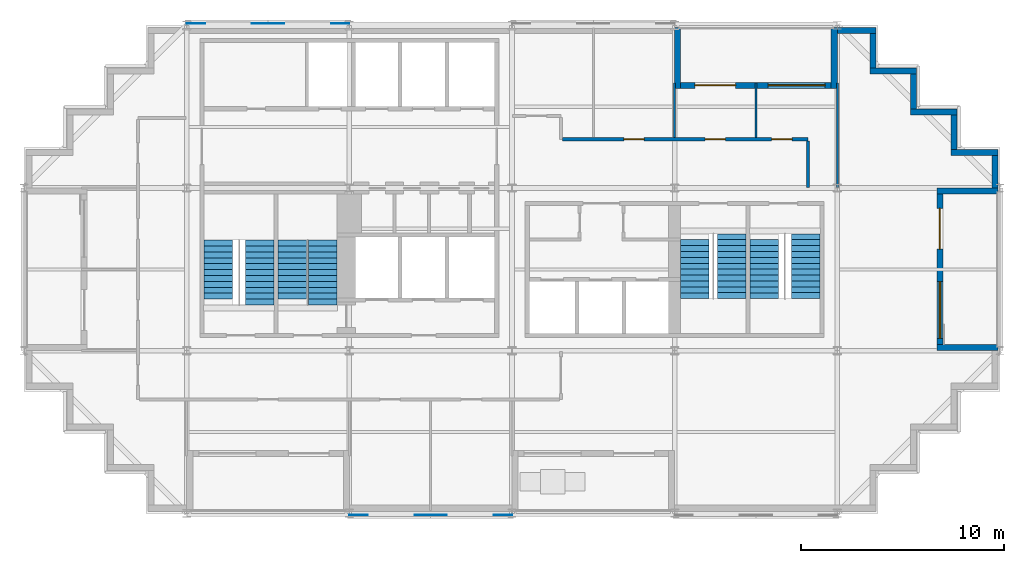
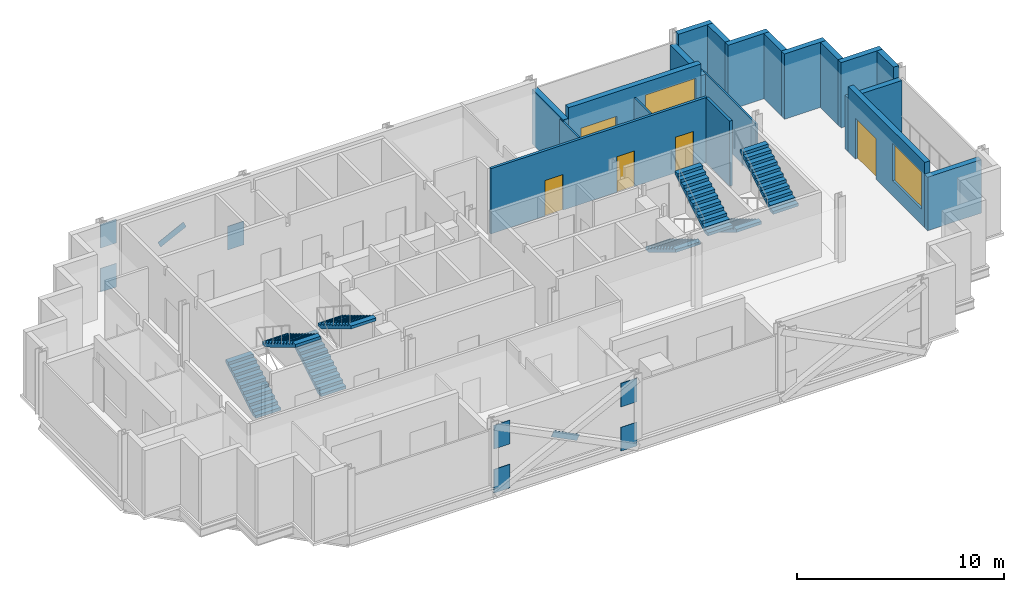
# One storey, part 5 of 8: 19 walls, 9 discrete accessories, 8 stair flights, 5 doors, 2 windows, 7 openings, 4 elements without a shape of their own.
"""IFC4 building model written with IfcOpenShell, lengths in metres."""

from ifc_helpers import new_model, si_unit, direction, frame, frame_2d, origin, origin_2d, place, context, subcontext, project, spatial, polyline, rectangle, outline, extrude, material, layer, layer_set, material_profile, profile_set, type_object, element, fill, aggregate, save


model = new_model("IFC4")

# Units and contexts
model_context = context("Model", 3, precision=1e-05, world=origin(), true_north=direction((0.0, 1.0)))
body_context = subcontext(model_context, "Body", "Model", "MODEL_VIEW")
ifc_project = project(units=[si_unit("LENGTHUNIT", "METRE"), si_unit("AREAUNIT", "SQUARE_METRE"), si_unit("VOLUMEUNIT", "CUBIC_METRE"), si_unit("PLANEANGLEUNIT", "RADIAN"), si_unit("MASSUNIT", "GRAM", prefix="KILO")], contexts=[model_context])

# Site, building, storey
site_placement = place(None, origin())
site = spatial("IfcSite", under=ifc_project, at=site_placement, CompositionType="ELEMENT")
building_placement = place(site_placement, origin())
building = spatial("IfcBuilding", under=site, at=building_placement, Name="Immortelle Media Tower", CompositionType="ELEMENT")
storey_placement = place(building_placement, frame((0.0, 0.0, 201.0)))
storey = spatial("IfcBuildingStorey", under=building, at=storey_placement, Name="L42", CompositionType="ELEMENT", Elevation=201.0)

# Wall
ifc_material_1 = material(Name="Fire-rated gypsum board", Category="gypsum")
ifc_layer_1 = layer(ifc_material_1, 0.012451171875)
ifc_material_2 = material(Name="Steel ASTM A653 SS Gr 50 stud frame with mineral wool", Category="steel")
ifc_layer_2 = layer(ifc_material_2, 0.125)
ifc_layer_3 = layer(ifc_material_1, 0.012451171875)
ifc_layer_set_1 = layer_set([ifc_layer_1, ifc_layer_2, ifc_layer_3], Name="Steel ASTM A653 SS Gr 50 stud frame with mineral wool")
wall_type_1 = type_object("IfcWallType", Name="Corridor wall 150", PredefinedType="PARTITIONING", material=ifc_layer_set_1)
wall_1_placement = place(storey_placement, frame((38.550048828125, 16.030029296875, 0.0), z_axis=(0.0, 0.0, 1.0), x_axis=(0.0, 1.0, 0.0)))
element("IfcWall", 1, at=wall_1_placement, inside=storey, type_object=wall_type_1, Name="Partition L42-011", PredefinedType="PARTITIONING", context=body_context, shape_type="SweptSolid", body=[
    extrude(rectangle(XDim=2.294921875, YDim=0.14990234375, at=frame_2d((1.1474609375, 0.0))), origin(), (0.0, 0.0, 1.0), 3.85009765625),
])

# Wall, openings, doors
wall_2_placement = place(storey_placement, frame((26.47509765625, 18.39990234375, 0.0), z_axis=(0.0, 0.0, 1.0), x_axis=(1.0, 0.0, 0.0)))
wall_2 = element("IfcWall", 2, at=wall_2_placement, inside=storey, type_object=wall_type_1, Name="Partition L42-013", PredefinedType="PARTITIONING", context=body_context, shape_type="SweptSolid", body=[
    extrude(rectangle(XDim=12.074951171875, YDim=0.14990234375, at=frame_2d((6.03759765625, 0.0))), origin(), (0.0, 0.0, 1.0), 3.85009765625),
])
opening_1_placement = place(wall_2_placement, frame((7.02490234375, 0.0, 0.0)))
opening_1 = element("IfcOpeningElement", 3, at=opening_1_placement, cuts=wall_2, Name="Opening O2-F009", PredefinedType="OPENING", context=body_context, shape_type="SweptSolid", body=[
    extrude(rectangle(XDim=1.0, YDim=2.10009765625, at=frame_2d((0.5, 1.050048828125))), frame((0.0, 0.0849609375, 0.0), z_axis=(0.0, -1.0, 0.0), x_axis=(1.0, 0.0, 0.0)), (0.0, 0.0, 1.0), 0.169921875),
])
opening_2_placement = place(wall_2_placement, frame((10.300048828125, 0.0, 0.0)))
opening_2 = element("IfcOpeningElement", 4, at=opening_2_placement, cuts=wall_2, Name="Opening O2-F010", PredefinedType="OPENING", context=body_context, shape_type="SweptSolid", body=[
    extrude(rectangle(XDim=1.0, YDim=2.10009765625, at=frame_2d((0.5, 1.050048828125))), frame((0.0, 0.0849609375, 0.0), z_axis=(0.0, -1.0, 0.0), x_axis=(1.0, 0.0, 0.0)), (0.0, 0.0, 1.0), 0.169921875),
])
opening_3_placement = place(wall_2_placement, frame((3.02490234375, 0.0, 0.0)))
opening_3 = element("IfcOpeningElement", 5, at=opening_3_placement, cuts=wall_2, Name="Opening O2-F012", PredefinedType="OPENING", context=body_context, shape_type="SweptSolid", body=[
    extrude(rectangle(XDim=1.0, YDim=2.10009765625, at=frame_2d((0.5, 1.050048828125))), frame((0.0, 0.0849609375, 0.0), z_axis=(0.0, -1.0, 0.0), x_axis=(1.0, 0.0, 0.0)), (0.0, 0.0, 1.0), 0.169921875),
])
ifc_material_3 = material(Name="Timber veneered door leaf, galvanised steel frame ASTM A653", Category="steel")
door_type_1 = type_object("IfcDoorType", Name="Room door 1000 x 2100", OperationType="NOTDEFINED", PredefinedType="DOOR", material=ifc_material_3)
door_1_placement = place(opening_1_placement, origin())
door_1 = element("IfcDoor", 6, at=door_1_placement, inside=storey, type_object=door_type_1, Name="Door O2-F009", OperationType="SINGLE_SWING_LEFT", OverallHeight=2.10009765625, OverallWidth=1.0, PredefinedType="DOOR", context=body_context, shape_type="SweptSolid", body=[
    extrude(rectangle(XDim=1.0, YDim=2.10009765625, at=frame_2d((0.5, 1.050048828125))), frame((0.0, 0.02490234375, 0.0), z_axis=(0.0, -1.0, 0.0), x_axis=(1.0, 0.0, 0.0)), (0.0, 0.0, 1.0), 0.050048828125),
])
fill(opening_1, door_1)
door_2_placement = place(opening_2_placement, origin())
door_2 = element("IfcDoor", 7, at=door_2_placement, inside=storey, type_object=door_type_1, Name="Door O2-F010", OperationType="SINGLE_SWING_LEFT", OverallHeight=2.10009765625, OverallWidth=1.0, PredefinedType="DOOR", context=body_context, shape_type="SweptSolid", body=[
    extrude(rectangle(XDim=1.0, YDim=2.10009765625, at=frame_2d((0.5, 1.050048828125))), frame((0.0, 0.02490234375, 0.0), z_axis=(0.0, -1.0, 0.0), x_axis=(1.0, 0.0, 0.0)), (0.0, 0.0, 1.0), 0.050048828125),
])
fill(opening_2, door_2)
door_3_placement = place(opening_3_placement, origin())
door_3 = element("IfcDoor", 8, at=door_3_placement, inside=storey, type_object=door_type_1, Name="Door O2-F012", OperationType="SINGLE_SWING_LEFT", OverallHeight=2.10009765625, OverallWidth=1.0, PredefinedType="DOOR", context=body_context, shape_type="SweptSolid", body=[
    extrude(rectangle(XDim=1.0, YDim=2.10009765625, at=frame_2d((0.5, 1.050048828125))), frame((0.0, 0.02490234375, 0.0), z_axis=(0.0, -1.0, 0.0), x_axis=(1.0, 0.0, 0.0)), (0.0, 0.0, 1.0), 0.050048828125),
])
fill(opening_3, door_3)

# Wall, openings, door, window
ifc_material_4 = material(Name="Pale aluminium cladding panel", Category="aluminium")
ifc_layer_4 = layer(ifc_material_4, 0.030029296875)
ifc_layer_5 = layer(ifc_material_2, 0.257568359375)
ifc_material_5 = material(Name="Moisture-resistant gypsum board", Category="gypsum")
ifc_layer_6 = layer(ifc_material_5, 0.012451171875)
ifc_layer_set_2 = layer_set([ifc_layer_4, ifc_layer_5, ifc_layer_6], Name="Steel ASTM A653 SS Gr 50 stud frame with mineral wool")
wall_type_2 = type_object("IfcWallType", Name="Facade wall 300", PredefinedType="SOLIDWALL", material=ifc_layer_set_2)
wall_3_placement = place(storey_placement, frame((45.050048828125, 8.300048828125, 0.0), z_axis=(0.0, 0.0, 1.0), x_axis=(0.0, 1.0, 0.0)))
wall_3 = element("IfcWall", 9, at=wall_3_placement, inside=storey, type_object=wall_type_2, Name="Loggia wall L42 E13", PredefinedType="SOLIDWALL", context=body_context, shape_type="SweptSolid", body=[
    extrude(rectangle(XDim=7.39990234375, YDim=0.300048828125, at=frame_2d((3.699951171875, 0.0))), origin(), (0.0, 0.0, 1.0), 3.85009765625),
])
opening_4_placement = place(wall_3_placement, frame((0.300048828125, 0.0, 0.89990234375)))
opening_4 = element("IfcOpeningElement", 10, at=opening_4_placement, cuts=wall_3, Name="Opening W1", PredefinedType="OPENING", context=body_context, shape_type="SweptSolid", body=[
    extrude(rectangle(XDim=2.800048828125, YDim=2.199951171875, at=frame_2d((1.39990234375, 1.10009765625))), frame((0.0, 0.159912109375, 0.0), z_axis=(0.0, -1.0, 0.0), x_axis=(1.0, 0.0, 0.0)), (0.0, 0.0, 1.0), 0.320068359375),
])
opening_5_placement = place(wall_3_placement, frame((4.699951171875, 0.0, 0.0)))
opening_5 = element("IfcOpeningElement", 11, at=opening_5_placement, cuts=wall_3, Name="Opening O2-E003", PredefinedType="OPENING", context=body_context, shape_type="SweptSolid", body=[
    extrude(rectangle(XDim=2.0, YDim=2.39990234375, at=frame_2d((1.0, 1.199951171875))), frame((0.0, 0.159912109375, 0.0), z_axis=(0.0, -1.0, 0.0), x_axis=(1.0, 0.0, 0.0)), (0.0, 0.0, 1.0), 0.320068359375),
])
ifc_material_6 = material(Name="Aluminium frame, glazed leaves", Category="aluminium")
door_type_2 = type_object("IfcDoorType", Name="Loggia door 2000 x 2400", OperationType="DOUBLE_DOOR_SINGLE_SWING", PredefinedType="DOOR", material=ifc_material_6)
door_4_placement = place(opening_5_placement, origin())
door_4 = element("IfcDoor", 12, at=door_4_placement, inside=storey, type_object=door_type_2, Name="Door O2-E003", OperationType="DOUBLE_DOOR_SINGLE_SWING", OverallHeight=2.39990234375, OverallWidth=2.0, PredefinedType="DOOR", context=body_context, shape_type="SweptSolid", body=[
    extrude(rectangle(XDim=2.0, YDim=2.39990234375, at=frame_2d((1.0, 1.199951171875))), frame((0.0, 0.02490234375, 0.0), z_axis=(0.0, -1.0, 0.0), x_axis=(1.0, 0.0, 0.0)), (0.0, 0.0, 1.0), 0.050048828125),
])
fill(opening_5, door_4)
ifc_material_7 = material(Name="Aluminium frame", Category="aluminium")
window_type = type_object("IfcWindowType", Name="Window 2800 x 2200", PartitioningType="SINGLE_PANEL", PredefinedType="WINDOW", material=ifc_material_7)
window_1_placement = place(opening_4_placement, origin())
window_1 = element("IfcWindow", 13, at=window_1_placement, inside=storey, type_object=window_type, Name="Window L42 L42-R13-B0", OverallHeight=2.199951171875, OverallWidth=2.800048828125, PartitioningType="SINGLE_PANEL", PredefinedType="WINDOW", context=body_context, shape_type="SweptSolid", body=[
    extrude(rectangle(XDim=2.800048828125, YDim=2.199951171875, at=frame_2d((1.39990234375, 1.10009765625))), frame((0.0, 0.030029296875, 0.0), z_axis=(0.0, -1.0, 0.0), x_axis=(1.0, 0.0, 0.0)), (0.0, 0.0, 1.0), 0.06005859375),
])
fill(opening_4, window_1)

# Walls
for number, where, z_axis, x_axis, name in (
    (14, (47.89990234375, 8.14990234375, 0.0), (0.0, 0.0, 1.0), (-1.0, 0.0, 0.0), "Loggia cheek wall L42 E"),
    (15, (47.89990234375, 15.85009765625, 0.0), (0.0, 0.0, 1.0), (-1.0, 0.0, 0.0), "Loggia cheek wall L42 E"),
):
    element("IfcWall", number, at=place(storey_placement, frame(where, z_axis=z_axis, x_axis=x_axis)), inside=storey, type_object=wall_type_2, Name=name, PredefinedType="SOLIDWALL", context=body_context, shape_type="SweptSolid", body=[
        extrude(rectangle(XDim=3.0, YDim=0.300048828125, at=frame_2d((1.5, 0.0))), origin(), (0.0, 0.0, 1.0), 3.156005859375),
    ])
wall_4_placement = place(storey_placement, frame((47.75, 16.0, 0.0), z_axis=(0.0, 0.0, 1.0), x_axis=(0.0, 1.0, 0.0)))
element("IfcWall", 16, at=wall_4_placement, inside=storey, type_object=wall_type_2, Name="Facade wall L42 E13", PredefinedType="SOLIDWALL", context=body_context, shape_type="SweptSolid", body=[
    extrude(rectangle(XDim=1.60009765625, YDim=0.300048828125, at=frame_2d((0.800048828125, 0.0))), origin(), (0.0, 0.0, 1.0), 3.85009765625),
])
wall_5_placement = place(storey_placement, frame((47.89990234375, 17.75, 0.0), z_axis=(0.0, 0.0, 1.0), x_axis=(-1.0, 0.0, 0.0)))
element("IfcWall", 17, at=wall_5_placement, inside=storey, type_object=wall_type_2, Name="Facade wall L42 N14", PredefinedType="SOLIDWALL", context=body_context, shape_type="SweptSolid", body=[
    extrude(rectangle(XDim=2.2998046875, YDim=0.300048828125, at=frame_2d((1.14990234375, 0.0))), origin(), (0.0, 0.0, 1.0), 3.85009765625),
])
wall_6_placement = place(storey_placement, frame((45.75, 17.89990234375, 0.0), z_axis=(0.0, 0.0, 1.0), x_axis=(0.0, 1.0, 0.0)))
element("IfcWall", 18, at=wall_6_placement, inside=storey, type_object=wall_type_2, Name="Facade wall L42 E15", PredefinedType="SOLIDWALL", context=body_context, shape_type="SweptSolid", body=[
    extrude(rectangle(XDim=1.7001953125, YDim=0.300048828125, at=frame_2d((0.85009765625, 0.0))), origin(), (0.0, 0.0, 1.0), 3.85009765625),
])
wall_7_placement = place(storey_placement, frame((45.89990234375, 19.75, 0.0), z_axis=(0.0, 0.0, 1.0), x_axis=(-1.0, 0.0, 0.0)))
element("IfcWall", 19, at=wall_7_placement, inside=storey, type_object=wall_type_2, Name="Facade wall L42 N16", PredefinedType="SOLIDWALL", context=body_context, shape_type="SweptSolid", body=[
    extrude(rectangle(XDim=2.2998046875, YDim=0.300048828125, at=frame_2d((1.14990234375, 0.0))), origin(), (0.0, 0.0, 1.0), 3.85009765625),
])
wall_8_placement = place(storey_placement, frame((43.75, 19.89990234375, 0.0), z_axis=(0.0, 0.0, 1.0), x_axis=(0.0, 1.0, 0.0)))
element("IfcWall", 20, at=wall_8_placement, inside=storey, type_object=wall_type_2, Name="Facade wall L42 E17", PredefinedType="SOLIDWALL", context=body_context, shape_type="SweptSolid", body=[
    extrude(rectangle(XDim=1.7001953125, YDim=0.300048828125, at=frame_2d((0.85009765625, 0.0))), origin(), (0.0, 0.0, 1.0), 3.85009765625),
])
wall_9_placement = place(storey_placement, frame((43.89990234375, 21.75, 0.0), z_axis=(0.0, 0.0, 1.0), x_axis=(-1.0, 0.0, 0.0)))
element("IfcWall", 21, at=wall_9_placement, inside=storey, type_object=wall_type_2, Name="Facade wall L42 N18", PredefinedType="SOLIDWALL", context=body_context, shape_type="SweptSolid", body=[
    extrude(rectangle(XDim=2.2998046875, YDim=0.300048828125, at=frame_2d((1.14990234375, 0.0))), origin(), (0.0, 0.0, 1.0), 3.85009765625),
])
wall_10_placement = place(storey_placement, frame((41.75, 21.89990234375, 0.0), z_axis=(0.0, 0.0, 1.0), x_axis=(0.0, 1.0, 0.0)))
element("IfcWall", 22, at=wall_10_placement, inside=storey, type_object=wall_type_2, Name="Facade wall L42 E19", PredefinedType="SOLIDWALL", context=body_context, shape_type="SweptSolid", body=[
    extrude(rectangle(XDim=1.7001953125, YDim=0.300048828125, at=frame_2d((0.85009765625, 0.0))), origin(), (0.0, 0.0, 1.0), 3.85009765625),
])
wall_11_placement = place(storey_placement, frame((41.89990234375, 23.75, 0.0), z_axis=(0.0, 0.0, 1.0), x_axis=(-1.0, 0.0, 0.0)))
element("IfcWall", 23, at=wall_11_placement, inside=storey, type_object=wall_type_2, Name="Facade wall L42 N20", PredefinedType="SOLIDWALL", context=body_context, shape_type="SweptSolid", body=[
    extrude(rectangle(XDim=1.89990234375, YDim=0.300048828125, at=frame_2d((0.949951171875, 0.0))), origin(), (0.0, 0.0, 1.0), 3.85009765625),
])

# Wall, openings, door, window
wall_12_placement = place(storey_placement, frame((39.699951171875, 21.050048828125, 0.0), z_axis=(0.0, 0.0, 1.0), x_axis=(-1.0, 0.0, 0.0)))
wall_12 = element("IfcWall", 24, at=wall_12_placement, inside=storey, type_object=wall_type_2, Name="Loggia wall L42 N20", PredefinedType="SOLIDWALL", context=body_context, shape_type="SweptSolid", body=[
    extrude(rectangle(XDim=7.39990234375, YDim=0.300048828125, at=frame_2d((3.699951171875, 0.0))), origin(), (0.0, 0.0, 1.0), 3.85009765625),
])
opening_6_placement = place(wall_12_placement, frame((0.300048828125, 0.0, 0.89990234375)))
opening_6 = element("IfcOpeningElement", 25, at=opening_6_placement, cuts=wall_12, Name="Opening W1", PredefinedType="OPENING", context=body_context, shape_type="SweptSolid", body=[
    extrude(rectangle(XDim=2.800048828125, YDim=2.199951171875, at=frame_2d((1.39990234375, 1.10009765625))), frame((0.0, 0.159912109375, 0.0), z_axis=(0.0, -1.0, 0.0), x_axis=(1.0, 0.0, 0.0)), (0.0, 0.0, 1.0), 0.320068359375),
])
opening_7_placement = place(wall_12_placement, frame((4.699951171875, 0.0, 0.0)))
opening_7 = element("IfcOpeningElement", 26, at=opening_7_placement, cuts=wall_12, Name="Opening O2-E004", PredefinedType="OPENING", context=body_context, shape_type="SweptSolid", body=[
    extrude(rectangle(XDim=2.0, YDim=2.39990234375, at=frame_2d((1.0, 1.199951171875))), frame((0.0, 0.159912109375, 0.0), z_axis=(0.0, -1.0, 0.0), x_axis=(1.0, 0.0, 0.0)), (0.0, 0.0, 1.0), 0.320068359375),
])
door_5_placement = place(opening_7_placement, origin())
door_5 = element("IfcDoor", 27, at=door_5_placement, inside=storey, type_object=door_type_2, Name="Door O2-E004", OperationType="DOUBLE_DOOR_SINGLE_SWING", OverallHeight=2.39990234375, OverallWidth=2.0, PredefinedType="DOOR", context=body_context, shape_type="SweptSolid", body=[
    extrude(rectangle(XDim=2.0, YDim=2.39990234375, at=frame_2d((1.0, 1.199951171875))), frame((0.0, 0.02490234375, 0.0), z_axis=(0.0, -1.0, 0.0), x_axis=(1.0, 0.0, 0.0)), (0.0, 0.0, 1.0), 0.050048828125),
])
fill(opening_7, door_5)
window_2_placement = place(opening_6_placement, origin())
window_2 = element("IfcWindow", 28, at=window_2_placement, inside=storey, type_object=window_type, Name="Window L42 L42-R20-B0", OverallHeight=2.199951171875, OverallWidth=2.800048828125, PartitioningType="SINGLE_PANEL", PredefinedType="WINDOW", context=body_context, shape_type="SweptSolid", body=[
    extrude(rectangle(XDim=2.800048828125, YDim=2.199951171875, at=frame_2d((1.39990234375, 1.10009765625))), frame((0.0, 0.030029296875, 0.0), z_axis=(0.0, -1.0, 0.0), x_axis=(1.0, 0.0, 0.0)), (0.0, 0.0, 1.0), 0.06005859375),
])
fill(opening_6, window_2)

# Walls
wall_13_placement = place(storey_placement, frame((39.85009765625, 23.89990234375, 0.0), z_axis=(0.0, 0.0, 1.0), x_axis=(0.0, -1.0, 0.0)))
element("IfcWall", 29, at=wall_13_placement, inside=storey, type_object=wall_type_2, Name="Loggia cheek wall L42 N", PredefinedType="SOLIDWALL", context=body_context, shape_type="SweptSolid", body=[
    extrude(rectangle(XDim=3.0, YDim=0.300048828125, at=frame_2d((1.5, 0.0))), origin(), (0.0, 0.0, 1.0), 3.156005859375),
])
wall_14_placement = place(storey_placement, frame((32.14990234375, 23.89990234375, 0.0), z_axis=(0.0, 0.0, 1.0), x_axis=(0.0, -1.0, 0.0)))
element("IfcWall", 30, at=wall_14_placement, inside=storey, type_object=wall_type_2, Name="Loggia cheek wall L42 N", PredefinedType="SOLIDWALL", context=body_context, shape_type="SweptSolid", body=[
    extrude(rectangle(XDim=3.0, YDim=0.300048828125, at=frame_2d((1.5, 0.0))), origin(), (0.0, 0.0, 1.0), 3.237060546875),
])
ifc_material_8 = material(Name="Gypsum board", Category="gypsum")
ifc_layer_7 = layer(ifc_material_8, 0.012451171875)
ifc_layer_8 = layer(ifc_material_2, 0.074951171875)
ifc_layer_9 = layer(ifc_material_8, 0.012451171875)
ifc_layer_set_3 = layer_set([ifc_layer_7, ifc_layer_8, ifc_layer_9], Name="Steel ASTM A653 SS Gr 50 stud frame with mineral wool")
wall_type_3 = type_object("IfcWallType", Name="Partition 100", PredefinedType="PARTITIONING", material=ifc_layer_set_3)
wall_15_placement = place(storey_placement, frame((40.0, 16.030029296875, 0.0), z_axis=(0.0, 0.0, 1.0), x_axis=(0.0, 1.0, 0.0)))
element("IfcWall", 31, at=wall_15_placement, inside=storey, type_object=wall_type_3, Name="Partition L42-012", PredefinedType="PARTITIONING", context=body_context, shape_type="SweptSolid", body=[
    extrude(rectangle(XDim=5.139892578125, YDim=0.10009765625, at=frame_2d((2.56982421875, 0.0))), origin(), (0.0, 0.0, 1.0), 3.156982421875),
])
for number, where, z_axis, x_axis, name in (
    (32, (32.0, 18.47509765625, 0.0), (0.0, 0.0, 1.0), (0.0, 1.0, 0.0), "Partition L42-016"),
    (33, (36.0, 18.47509765625, 0.0), (0.0, 0.0, 1.0), (0.0, 1.0, 0.0), "Partition L42-017"),
):
    element("IfcWall", number, at=place(storey_placement, frame(where, z_axis=z_axis, x_axis=x_axis)), inside=storey, type_object=wall_type_3, Name=name, PredefinedType="PARTITIONING", context=body_context, shape_type="SweptSolid", body=[
        extrude(rectangle(XDim=2.69482421875, YDim=0.10009765625, at=frame_2d((1.347412109375, 0.0))), origin(), (0.0, 0.0, 1.0), 3.156982421875),
    ])

# Stair, stair flights
ifc_material_9 = material(Name="Steel ASTM A992 Gr 50", Category="steel")
stair_type = type_object("IfcStairType", Name="Stair with flights", PredefinedType="DOUBLE_RETURN_STAIR", material=ifc_material_9)
stair_1_placement = place(storey_placement, origin())
stair_1 = element("IfcStair", 34, at=stair_1_placement, inside=storey, type_object=stair_type, Name="Exit stair SW1", PredefinedType="DOUBLE_RETURN_STAIR")
stair_flight_type = type_object("IfcStairFlightType", Name="Stair flight 1400", PredefinedType="STRAIGHT", material=ifc_material_9)
stair_flight_1_placement = place(storey_placement, frame((9.550048828125, 10.5400390625, 0.0), z_axis=(0.0, 0.0, 1.0), x_axis=(0.0, 1.0, 0.0)))
stair_flight_1 = element("IfcStairFlight", 35, at=stair_flight_1_placement, type_object=stair_flight_type, Name="ST SW1 flight 1", NumberOfRisers=11, NumberOfTreads=10, PredefinedType="STRAIGHT", RiserHeight=0.173913043, TreadLength=0.29, context=body_context, shape_type="SweptSolid", body=[
    extrude(outline(polyline([(0.0, 0.0), (0.0, 0.173828125), (0.2900390625, 0.173828125), (0.2900390625, 0.347900390625), (0.580078125, 0.347900390625), (0.580078125, 0.521728515625), (0.8701171875, 0.521728515625), (0.8701171875, 0.695556640625), (1.159912109375, 0.695556640625), (1.159912109375, 0.86962890625), (1.449951171875, 0.86962890625), (1.449951171875, 1.04345703125), (1.739990234375, 1.04345703125), (1.739990234375, 1.21728515625), (2.030029296875, 1.21728515625), (2.030029296875, 1.391357421875), (2.320068359375, 1.391357421875), (2.320068359375, 1.565185546875), (2.610107421875, 1.565185546875), (2.610107421875, 1.739013671875), (2.89990234375, 1.739013671875), (2.89990234375, 1.9130859375), (2.89990234375, 1.564453125), (0.29150390625, 0.0), (0.0, 0.0)])), frame((0.0, 0.699951171875, 0.0), z_axis=(0.0, -1.0, 0.0), x_axis=(1.0, 0.0, 0.0)), (0.0, 0.0, 1.0), 1.39990234375),
])
stair_flight_2_placement = place(storey_placement, frame((11.60009765625, 13.43994140625, 1.9130859375), z_axis=(0.0, 0.0, 1.0), x_axis=(0.0, -1.0, 0.0)))
stair_flight_2 = element("IfcStairFlight", 36, at=stair_flight_2_placement, type_object=stair_flight_type, Name="ST SW1 flight 2", NumberOfRisers=12, NumberOfTreads=11, PredefinedType="STRAIGHT", RiserHeight=0.173913043, TreadLength=0.29, context=body_context, shape_type="SweptSolid", body=[
    extrude(outline(polyline([(0.0, 0.0), (0.0, 0.173828125), (0.2900390625, 0.173828125), (0.2900390625, 0.347900390625), (0.580078125, 0.347900390625), (0.580078125, 0.521728515625), (0.8701171875, 0.521728515625), (0.8701171875, 0.695556640625), (1.159912109375, 0.695556640625), (1.159912109375, 0.86962890625), (1.449951171875, 0.86962890625), (1.449951171875, 1.04345703125), (1.739990234375, 1.04345703125), (1.739990234375, 1.21728515625), (2.030029296875, 1.21728515625), (2.030029296875, 1.391357421875), (2.320068359375, 1.391357421875), (2.320068359375, 1.565185546875), (2.610107421875, 1.565185546875), (2.610107421875, 1.739013671875), (2.89990234375, 1.739013671875), (2.89990234375, 1.9130859375), (3.18994140625, 1.9130859375), (3.18994140625, 2.0869140625), (3.18994140625, 1.73828125), (0.29150390625, 0.0), (0.0, 0.0)])), frame((0.0, 0.699951171875, 0.0), z_axis=(0.0, -1.0, 0.0), x_axis=(1.0, 0.0, 0.0)), (0.0, 0.0, 1.0), 1.39990234375),
])
aggregate(stair_1, [stair_flight_1, stair_flight_2])

stair_2_placement = place(storey_placement, origin())
stair_2 = element("IfcStair", 37, at=stair_2_placement, inside=storey, type_object=stair_type, Name="Exit stair SW2", PredefinedType="DOUBLE_RETURN_STAIR")
stair_flight_3_placement = place(storey_placement, frame((13.199951171875, 10.5400390625, 0.0), z_axis=(0.0, 0.0, 1.0), x_axis=(0.0, 1.0, 0.0)))
stair_flight_3 = element("IfcStairFlight", 38, at=stair_flight_3_placement, type_object=stair_flight_type, Name="ST SW2 flight 1", NumberOfRisers=11, NumberOfTreads=10, PredefinedType="STRAIGHT", RiserHeight=0.173913043, TreadLength=0.29, context=body_context, shape_type="SweptSolid", body=[
    extrude(outline(polyline([(0.0, 0.0), (0.0, 0.173828125), (0.2900390625, 0.173828125), (0.2900390625, 0.347900390625), (0.580078125, 0.347900390625), (0.580078125, 0.521728515625), (0.8701171875, 0.521728515625), (0.8701171875, 0.695556640625), (1.159912109375, 0.695556640625), (1.159912109375, 0.86962890625), (1.449951171875, 0.86962890625), (1.449951171875, 1.04345703125), (1.739990234375, 1.04345703125), (1.739990234375, 1.21728515625), (2.030029296875, 1.21728515625), (2.030029296875, 1.391357421875), (2.320068359375, 1.391357421875), (2.320068359375, 1.565185546875), (2.610107421875, 1.565185546875), (2.610107421875, 1.739013671875), (2.89990234375, 1.739013671875), (2.89990234375, 1.9130859375), (2.89990234375, 1.564453125), (0.29150390625, 0.0), (0.0, 0.0)])), frame((0.0, 0.699951171875, 0.0), z_axis=(0.0, -1.0, 0.0), x_axis=(1.0, 0.0, 0.0)), (0.0, 0.0, 1.0), 1.39990234375),
])
stair_flight_4_placement = place(storey_placement, frame((14.699951171875, 13.43994140625, 1.9130859375), z_axis=(0.0, 0.0, 1.0), x_axis=(0.0, -1.0, 0.0)))
stair_flight_4 = element("IfcStairFlight", 39, at=stair_flight_4_placement, type_object=stair_flight_type, Name="ST SW2 flight 2", NumberOfRisers=12, NumberOfTreads=11, PredefinedType="STRAIGHT", RiserHeight=0.173913043, TreadLength=0.29, context=body_context, shape_type="SweptSolid", body=[
    extrude(outline(polyline([(0.0, 0.0), (0.0, 0.173828125), (0.2900390625, 0.173828125), (0.2900390625, 0.347900390625), (0.580078125, 0.347900390625), (0.580078125, 0.521728515625), (0.8701171875, 0.521728515625), (0.8701171875, 0.695556640625), (1.159912109375, 0.695556640625), (1.159912109375, 0.86962890625), (1.449951171875, 0.86962890625), (1.449951171875, 1.04345703125), (1.739990234375, 1.04345703125), (1.739990234375, 1.21728515625), (2.030029296875, 1.21728515625), (2.030029296875, 1.391357421875), (2.320068359375, 1.391357421875), (2.320068359375, 1.565185546875), (2.610107421875, 1.565185546875), (2.610107421875, 1.739013671875), (2.89990234375, 1.739013671875), (2.89990234375, 1.9130859375), (3.18994140625, 1.9130859375), (3.18994140625, 2.0869140625), (3.18994140625, 1.73828125), (0.29150390625, 0.0), (0.0, 0.0)])), frame((0.0, 0.699951171875, 0.0), z_axis=(0.0, -1.0, 0.0), x_axis=(1.0, 0.0, 0.0)), (0.0, 0.0, 1.0), 1.39990234375),
])
aggregate(stair_2, [stair_flight_3, stair_flight_4])

stair_3_placement = place(storey_placement, origin())
stair_3 = element("IfcStair", 40, at=stair_3_placement, inside=storey, type_object=stair_type, Name="Exit stair SE1", PredefinedType="DOUBLE_RETURN_STAIR")
stair_flight_5_placement = place(storey_placement, frame((33.0, 13.4599609375, 0.0), z_axis=(0.0, 0.0, 1.0), x_axis=(0.0, -1.0, 0.0)))
stair_flight_5 = element("IfcStairFlight", 41, at=stair_flight_5_placement, type_object=stair_flight_type, Name="ST SE1 flight 1", NumberOfRisers=11, NumberOfTreads=10, PredefinedType="STRAIGHT", RiserHeight=0.173913043, TreadLength=0.29, context=body_context, shape_type="SweptSolid", body=[
    extrude(outline(polyline([(0.0, 0.0), (0.0, 0.173828125), (0.2900390625, 0.173828125), (0.2900390625, 0.347900390625), (0.580078125, 0.347900390625), (0.580078125, 0.521728515625), (0.8701171875, 0.521728515625), (0.8701171875, 0.695556640625), (1.159912109375, 0.695556640625), (1.159912109375, 0.86962890625), (1.449951171875, 0.86962890625), (1.449951171875, 1.04345703125), (1.739990234375, 1.04345703125), (1.739990234375, 1.21728515625), (2.030029296875, 1.21728515625), (2.030029296875, 1.391357421875), (2.320068359375, 1.391357421875), (2.320068359375, 1.565185546875), (2.610107421875, 1.565185546875), (2.610107421875, 1.739013671875), (2.89990234375, 1.739013671875), (2.89990234375, 1.9130859375), (2.89990234375, 1.564453125), (0.29150390625, 0.0), (0.0, 0.0)])), frame((0.0, 0.699951171875, 0.0), z_axis=(0.0, -1.0, 0.0), x_axis=(1.0, 0.0, 0.0)), (0.0, 0.0, 1.0), 1.39990234375),
])
stair_flight_6_placement = place(storey_placement, frame((34.800048828125, 10.56005859375, 1.9130859375), z_axis=(0.0, 0.0, 1.0), x_axis=(0.0, 1.0, 0.0)))
stair_flight_6 = element("IfcStairFlight", 42, at=stair_flight_6_placement, type_object=stair_flight_type, Name="ST SE1 flight 2", NumberOfRisers=12, NumberOfTreads=11, PredefinedType="STRAIGHT", RiserHeight=0.173913043, TreadLength=0.29, context=body_context, shape_type="SweptSolid", body=[
    extrude(outline(polyline([(0.0, 0.0), (0.0, 0.173828125), (0.2900390625, 0.173828125), (0.2900390625, 0.347900390625), (0.580078125, 0.347900390625), (0.580078125, 0.521728515625), (0.8701171875, 0.521728515625), (0.8701171875, 0.695556640625), (1.159912109375, 0.695556640625), (1.159912109375, 0.86962890625), (1.449951171875, 0.86962890625), (1.449951171875, 1.04345703125), (1.739990234375, 1.04345703125), (1.739990234375, 1.21728515625), (2.030029296875, 1.21728515625), (2.030029296875, 1.391357421875), (2.320068359375, 1.391357421875), (2.320068359375, 1.565185546875), (2.610107421875, 1.565185546875), (2.610107421875, 1.739013671875), (2.89990234375, 1.739013671875), (2.89990234375, 1.9130859375), (3.18994140625, 1.9130859375), (3.18994140625, 2.0869140625), (3.18994140625, 1.73828125), (0.29150390625, 0.0), (0.0, 0.0)])), frame((0.0, 0.699951171875, 0.0), z_axis=(0.0, -1.0, 0.0), x_axis=(1.0, 0.0, 0.0)), (0.0, 0.0, 1.0), 1.39990234375),
])
aggregate(stair_3, [stair_flight_5, stair_flight_6])

stair_4_placement = place(storey_placement, origin())
stair_4 = element("IfcStair", 43, at=stair_4_placement, inside=storey, type_object=stair_type, Name="Exit stair SE2", PredefinedType="DOUBLE_RETURN_STAIR")
stair_flight_7_placement = place(storey_placement, frame((36.39990234375, 13.4599609375, 0.0), z_axis=(0.0, 0.0, 1.0), x_axis=(0.0, -1.0, 0.0)))
stair_flight_7 = element("IfcStairFlight", 44, at=stair_flight_7_placement, type_object=stair_flight_type, Name="ST SE2 flight 1", NumberOfRisers=11, NumberOfTreads=10, PredefinedType="STRAIGHT", RiserHeight=0.173913043, TreadLength=0.29, context=body_context, shape_type="SweptSolid", body=[
    extrude(outline(polyline([(0.0, 0.0), (0.0, 0.173828125), (0.2900390625, 0.173828125), (0.2900390625, 0.347900390625), (0.580078125, 0.347900390625), (0.580078125, 0.521728515625), (0.8701171875, 0.521728515625), (0.8701171875, 0.695556640625), (1.159912109375, 0.695556640625), (1.159912109375, 0.86962890625), (1.449951171875, 0.86962890625), (1.449951171875, 1.04345703125), (1.739990234375, 1.04345703125), (1.739990234375, 1.21728515625), (2.030029296875, 1.21728515625), (2.030029296875, 1.391357421875), (2.320068359375, 1.391357421875), (2.320068359375, 1.565185546875), (2.610107421875, 1.565185546875), (2.610107421875, 1.739013671875), (2.89990234375, 1.739013671875), (2.89990234375, 1.9130859375), (2.89990234375, 1.564453125), (0.29150390625, 0.0), (0.0, 0.0)])), frame((0.0, 0.699951171875, 0.0), z_axis=(0.0, -1.0, 0.0), x_axis=(1.0, 0.0, 0.0)), (0.0, 0.0, 1.0), 1.39990234375),
])
stair_flight_8_placement = place(storey_placement, frame((38.449951171875, 10.56005859375, 1.9130859375), z_axis=(0.0, 0.0, 1.0), x_axis=(0.0, 1.0, 0.0)))
stair_flight_8 = element("IfcStairFlight", 45, at=stair_flight_8_placement, type_object=stair_flight_type, Name="ST SE2 flight 2", NumberOfRisers=12, NumberOfTreads=11, PredefinedType="STRAIGHT", RiserHeight=0.173913043, TreadLength=0.29, context=body_context, shape_type="SweptSolid", body=[
    extrude(outline(polyline([(0.0, 0.0), (0.0, 0.173828125), (0.2900390625, 0.173828125), (0.2900390625, 0.347900390625), (0.580078125, 0.347900390625), (0.580078125, 0.521728515625), (0.8701171875, 0.521728515625), (0.8701171875, 0.695556640625), (1.159912109375, 0.695556640625), (1.159912109375, 0.86962890625), (1.449951171875, 0.86962890625), (1.449951171875, 1.04345703125), (1.739990234375, 1.04345703125), (1.739990234375, 1.21728515625), (2.030029296875, 1.21728515625), (2.030029296875, 1.391357421875), (2.320068359375, 1.391357421875), (2.320068359375, 1.565185546875), (2.610107421875, 1.565185546875), (2.610107421875, 1.739013671875), (2.89990234375, 1.739013671875), (2.89990234375, 1.9130859375), (3.18994140625, 1.9130859375), (3.18994140625, 2.0869140625), (3.18994140625, 1.73828125), (0.29150390625, 0.0), (0.0, 0.0)])), frame((0.0, 0.699951171875, 0.0), z_axis=(0.0, -1.0, 0.0), x_axis=(1.0, 0.0, 0.0)), (0.0, 0.0, 1.0), 1.39990234375),
])
aggregate(stair_4, [stair_flight_7, stair_flight_8])

# Discrete accessories
ifc_material_10 = material(Name="Steel ASTM A572 Gr 50", Category="steel")
ifc_material_profile_1 = material_profile(ifc_material_10, rectangle(XDim=0.02392578125, YDim=0.35595703125, at=origin_2d()), Name="PL 24 x 356")
ifc_profile_set_1 = profile_set([ifc_material_profile_1], Name="Steel ASTM A572 Gr 50")
discrete_accessory_type_1 = type_object("IfcDiscreteAccessoryType", Name="Crossing plate XP-BR5 1600 x 356 x 24", PredefinedType="USERDEFINED", material=ifc_profile_set_1)
for number, where, z_axis, x_axis, name in (
    (46, (12.715576171875, 24.087890625, 1.90185546875), (-0.894427191, 0.0, -0.4472135955), (0.0, -1.0, 0.0), "Crossing plate XP-BR5 of Brace D/2-3 A and Brace D/2-3 B"),
    (47, (19.284423828125, -0.087890625, 1.90185546875), (0.894427191, 0.0, -0.4472135955), (0.0, 1.0, 0.0), "Crossing plate XP-BR5 of Brace A/3-4 A and Brace A/3-4 B"),
):
    element("IfcDiscreteAccessory", number, at=place(storey_placement, frame(where, z_axis=z_axis, x_axis=x_axis)), inside=storey, type_object=discrete_accessory_type_1, Name=name, ObjectType="CROSSING PLATE", PredefinedType="USERDEFINED", context=body_context, shape_type="SweptSolid", body=[
        extrude(rectangle(XDim=0.02392578125, YDim=0.35595703125, at=origin_2d()), origin(), (0.0, 0.0, 1.0), 1.60009765625),
    ])
ifc_material_profile_2 = material_profile(ifc_material_10, rectangle(XDim=0.031982421875, YDim=1.39990234375, at=origin_2d()), Name="PL 32 x 1400")
ifc_profile_set_2 = profile_set([ifc_material_profile_2], Name="Steel ASTM A572 Gr 50")
discrete_accessory_type_2 = type_object("IfcDiscreteAccessoryType", Name="Gusset plate GP1 900 x 1400 x 32", PredefinedType="USERDEFINED", material=ifc_profile_set_2)
for number, where, z_axis, x_axis, name in (
    (48, (16.0, -0.087890625, 0.243896484375), (1.0, 0.0, 0.0), (0.0, 1.0, 0.0), "Gusset plate GP1, lower end of Brace A/3-4 A"),
    (49, (24.0, -0.087890625, 2.843994140625), (-1.0, 0.0, 0.0), (0.0, -1.0, 0.0), "Gusset plate GP1, upper end of Brace A/3-4 A"),
    (50, (24.0, -0.087890625, 0.243896484375), (-1.0, 0.0, 0.0), (0.0, -1.0, 0.0), "Gusset plate GP1, lower end of Brace A/3-4 B"),
    (51, (16.0, -0.087890625, 2.843994140625), (1.0, 0.0, 0.0), (0.0, 1.0, 0.0), "Gusset plate GP1, upper end of Brace A/3-4 B"),
    (52, (16.0, 24.087890625, 0.243896484375), (-1.0, 0.0, 0.0), (0.0, -1.0, 0.0), "Gusset plate GP1, lower end of Brace D/2-3 A"),
    (53, (8.0, 24.087890625, 2.843994140625), (1.0, 0.0, 0.0), (0.0, 1.0, 0.0), "Gusset plate GP1, upper end of Brace D/2-3 A"),
    (54, (8.0, 24.087890625, 0.243896484375), (1.0, 0.0, 0.0), (0.0, 1.0, 0.0), "Gusset plate GP1, lower end of Brace D/2-3 B"),
):
    element("IfcDiscreteAccessory", number, at=place(storey_placement, frame(where, z_axis=z_axis, x_axis=x_axis)), inside=storey, type_object=discrete_accessory_type_2, Name=name, ObjectType="GUSSET PLATE", PredefinedType="USERDEFINED", context=body_context, shape_type="SweptSolid", body=[
        extrude(rectangle(XDim=0.031982421875, YDim=1.39990234375, at=origin_2d()), origin(), (0.0, 0.0, 1.0), 0.89990234375),
    ])

save(model, "model.ifc")
